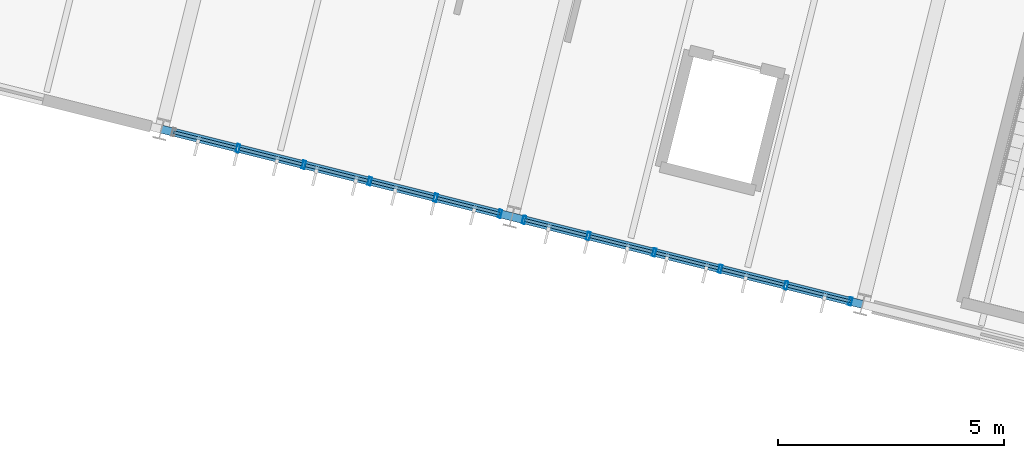
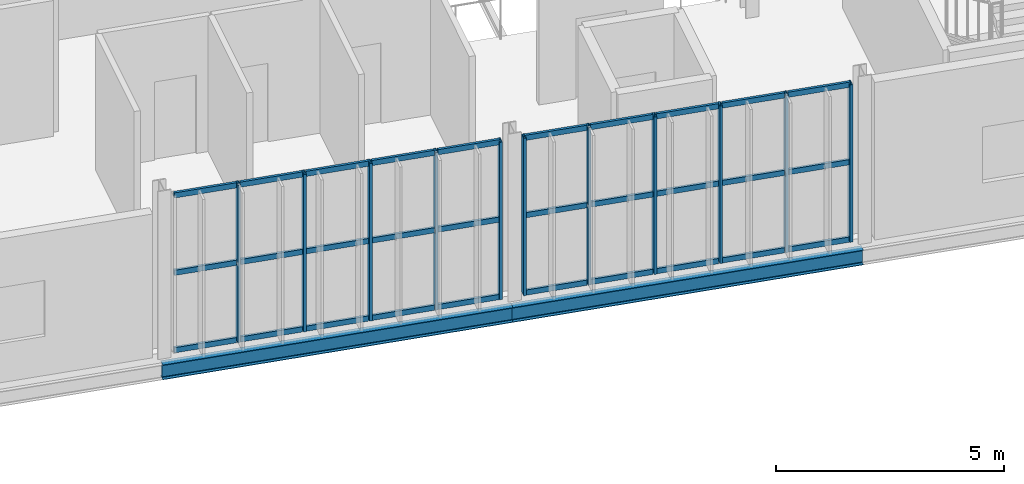
# One storey, part 94 of 152: 41 members, 2 beams, 2 elements without a shape of their own.
"""IFC4 building model written with IfcOpenShell, lengths in metres."""

from ifc_helpers import new_model, si_unit, derived_unit, direction, frame, origin, origin_2d, place, context, subcontext, project, spatial, hollow_rectangle, i_section, extrude, material, material_profile, profile_set, type_object, element, aggregate, save


model = new_model("IFC4")

# Units and contexts
model_context = context("Model", 3, precision=1e-05, world=origin(), true_north=direction((0.0, 1.0)))
body_context = subcontext(model_context, "Body", "Model", "MODEL_VIEW")
ifc_project = project(units=[si_unit("LENGTHUNIT", "METRE"), si_unit("AREAUNIT", "SQUARE_METRE"), si_unit("VOLUMEUNIT", "CUBIC_METRE"), si_unit("PLANEANGLEUNIT", "RADIAN"), si_unit("MASSUNIT", "GRAM", prefix="KILO"), si_unit("THERMODYNAMICTEMPERATUREUNIT", "KELVIN"), si_unit("TIMEUNIT", "SECOND"), derived_unit("THERMALTRANSMITTANCEUNIT", [(si_unit("MASSUNIT", "GRAM", prefix="KILO"), 1), (si_unit("THERMODYNAMICTEMPERATUREUNIT", "KELVIN"), -1), (si_unit("TIMEUNIT", "SECOND"), -3)])], contexts=[model_context])

# Site, building, storey
site_placement = place(None, origin())
site = spatial("IfcSite", under=ifc_project, at=site_placement, CompositionType="ELEMENT")
building_placement = place(site_placement, origin())
building = spatial("IfcBuilding", under=site, at=building_placement, Name="Cambertide Market Hall", CompositionType="ELEMENT")
storey_placement = place(building_placement, frame((0.0, 0.0, 5.39990234375)))
storey = spatial("IfcBuildingStorey", under=building, at=storey_placement, Name="L02", CompositionType="ELEMENT", Elevation=5.39990234375)

# Curtain wall, members
ifc_material_1 = material(Name="Marine Anodized Aluminium 6063-T6 AA25", Category="aluminium")
curtain_wall_type = type_object("IfcCurtainWallType", Name="Cooking School Classroom Curtain Wall", PredefinedType="USERDEFINED", material=ifc_material_1)
curtain_wall_1_placement = place(storey_placement, origin())
curtain_wall_1 = element("IfcCurtainWall", 1, at=curtain_wall_1_placement, inside=storey, type_object=curtain_wall_type, Name="Level 2 Curtain Wall CW-V4S-L02-5", ObjectType="UNITIZED CURTAIN WALL", PredefinedType="USERDEFINED")
ifc_material_2 = material(Name="Champagne Marine Anodized Aluminium 6063-T6 AA25", Category="aluminium")
ifc_material_profile_1 = material_profile(ifc_material_2, hollow_rectangle(XDim=0.06494140625, YDim=0.179931640625, WallThickness=0.00390625, at=origin_2d()), Name="ALU MULLION 65x180")
ifc_profile_set_1 = profile_set([ifc_material_profile_1], Name="Champagne Marine Anodized Aluminium 6063-T6 AA25")
member_type_1 = type_object("IfcMemberType", Name="Curtain Wall Mullion ALU MULLION 65x180", PredefinedType="MULLION", material=ifc_profile_set_1)
member_1_placement = place(storey_placement, frame((146.538818359375, 90.365234375, 0.0), z_axis=(0.0, 0.0, 1.0), x_axis=(-0.970142531436, 0.242535499875, 0.0)))
member_1 = element("IfcMember", 2, at=member_1_placement, type_object=member_type_1, Name="CW-V4S-L02-5 Mullion 1", PredefinedType="MULLION", context=body_context, shape_type="SweptSolid", body=[
    extrude(hollow_rectangle(XDim=0.06494140625, YDim=0.179931640625, WallThickness=0.00390625, at=origin_2d()), origin(), (0.0, 0.0, 1.0), 4.22021484375),
])
member_2_placement = place(storey_placement, frame((145.11376953125, 90.721435546875, 0.0), z_axis=(0.0, 0.0, 1.0), x_axis=(-0.970142531436, 0.242535499875, 0.0)))
member_2 = element("IfcMember", 3, at=member_2_placement, type_object=member_type_1, Name="CW-V4S-L02-5 Mullion 2", PredefinedType="MULLION", context=body_context, shape_type="SweptSolid", body=[
    extrude(hollow_rectangle(XDim=0.06494140625, YDim=0.179931640625, WallThickness=0.00390625, at=origin_2d()), origin(), (0.0, 0.0, 1.0), 4.22021484375),
])
member_3_placement = place(storey_placement, frame((143.65478515625, 91.08642578125, 0.0), z_axis=(0.0, 0.0, 1.0), x_axis=(-0.970142531436, 0.242535499875, 0.0)))
member_3 = element("IfcMember", 4, at=member_3_placement, type_object=member_type_1, Name="CW-V4S-L02-5 Mullion 3", PredefinedType="MULLION", context=body_context, shape_type="SweptSolid", body=[
    extrude(hollow_rectangle(XDim=0.06494140625, YDim=0.179931640625, WallThickness=0.00390625, at=origin_2d()), origin(), (0.0, 0.0, 1.0), 4.22021484375),
])
member_4_placement = place(storey_placement, frame((142.195556640625, 91.451171875, 0.0), z_axis=(0.0, 0.0, 1.0), x_axis=(-0.970142531436, 0.242535499875, 0.0)))
member_4 = element("IfcMember", 5, at=member_4_placement, type_object=member_type_1, Name="CW-V4S-L02-5 Mullion 4", PredefinedType="MULLION", context=body_context, shape_type="SweptSolid", body=[
    extrude(hollow_rectangle(XDim=0.06494140625, YDim=0.179931640625, WallThickness=0.00390625, at=origin_2d()), origin(), (0.0, 0.0, 1.0), 4.22021484375),
])
member_5_placement = place(storey_placement, frame((140.736572265625, 91.81591796875, 0.0), z_axis=(0.0, 0.0, 1.0), x_axis=(-0.970142531436, 0.242535499875, 0.0)))
member_5 = element("IfcMember", 6, at=member_5_placement, type_object=member_type_1, Name="CW-V4S-L02-5 Mullion 5", PredefinedType="MULLION", context=body_context, shape_type="SweptSolid", body=[
    extrude(hollow_rectangle(XDim=0.06494140625, YDim=0.179931640625, WallThickness=0.00390625, at=origin_2d()), origin(), (0.0, 0.0, 1.0), 4.22021484375),
])

curtain_wall_2_placement = place(storey_placement, origin())
curtain_wall_2 = element("IfcCurtainWall", 7, at=curtain_wall_2_placement, inside=storey, type_object=curtain_wall_type, Name="Level 2 Curtain Wall CW-V4S-L02-6", ObjectType="UNITIZED CURTAIN WALL", PredefinedType="USERDEFINED")
member_6_placement = place(storey_placement, frame((154.300048828125, 88.425048828125, 0.0), z_axis=(0.0, 0.0, 1.0), x_axis=(-0.970142531436, 0.242535499875, 0.0)))
member_6 = element("IfcMember", 8, at=member_6_placement, type_object=member_type_1, Name="CW-V4S-L02-6 Mullion 1", PredefinedType="MULLION", context=body_context, shape_type="SweptSolid", body=[
    extrude(hollow_rectangle(XDim=0.06494140625, YDim=0.179931640625, WallThickness=0.00390625, at=origin_2d()), origin(), (0.0, 0.0, 1.0), 4.22021484375),
])
member_7_placement = place(storey_placement, frame((152.875, 88.78125, 0.0), z_axis=(0.0, 0.0, 1.0), x_axis=(-0.970142531436, 0.242535499875, 0.0)))
member_7 = element("IfcMember", 9, at=member_7_placement, type_object=member_type_1, Name="CW-V4S-L02-6 Mullion 2", PredefinedType="MULLION", context=body_context, shape_type="SweptSolid", body=[
    extrude(hollow_rectangle(XDim=0.06494140625, YDim=0.179931640625, WallThickness=0.00390625, at=origin_2d()), origin(), (0.0, 0.0, 1.0), 4.22021484375),
])
member_8_placement = place(storey_placement, frame((151.415771484375, 89.14599609375, 0.0), z_axis=(0.0, 0.0, 1.0), x_axis=(-0.970142531436, 0.242535499875, 0.0)))
member_8 = element("IfcMember", 10, at=member_8_placement, type_object=member_type_1, Name="CW-V4S-L02-6 Mullion 3", PredefinedType="MULLION", context=body_context, shape_type="SweptSolid", body=[
    extrude(hollow_rectangle(XDim=0.06494140625, YDim=0.179931640625, WallThickness=0.00390625, at=origin_2d()), origin(), (0.0, 0.0, 1.0), 4.22021484375),
])
member_9_placement = place(storey_placement, frame((149.956787109375, 89.5107421875, 0.0), z_axis=(0.0, 0.0, 1.0), x_axis=(-0.970142531436, 0.242535499875, 0.0)))
member_9 = element("IfcMember", 11, at=member_9_placement, type_object=member_type_1, Name="CW-V4S-L02-6 Mullion 4", PredefinedType="MULLION", context=body_context, shape_type="SweptSolid", body=[
    extrude(hollow_rectangle(XDim=0.06494140625, YDim=0.179931640625, WallThickness=0.00390625, at=origin_2d()), origin(), (0.0, 0.0, 1.0), 4.22021484375),
])
member_10_placement = place(storey_placement, frame((148.49755859375, 89.87548828125, 0.0), z_axis=(0.0, 0.0, 1.0), x_axis=(-0.970142531436, 0.242535499875, 0.0)))
member_10 = element("IfcMember", 12, at=member_10_placement, type_object=member_type_1, Name="CW-V4S-L02-6 Mullion 5", PredefinedType="MULLION", context=body_context, shape_type="SweptSolid", body=[
    extrude(hollow_rectangle(XDim=0.06494140625, YDim=0.179931640625, WallThickness=0.00390625, at=origin_2d()), origin(), (0.0, 0.0, 1.0), 4.22021484375),
])
member_11_placement = place(storey_placement, frame((147.072509765625, 90.23193359375, 0.0), z_axis=(0.0, 0.0, 1.0), x_axis=(-0.970142531436, 0.242535499875, 0.0)))
member_11 = element("IfcMember", 13, at=member_11_placement, type_object=member_type_1, Name="CW-V4S-L02-6 Mullion 6", PredefinedType="MULLION", context=body_context, shape_type="SweptSolid", body=[
    extrude(hollow_rectangle(XDim=0.06494140625, YDim=0.179931640625, WallThickness=0.00390625, at=origin_2d()), origin(), (0.0, 0.0, 1.0), 4.22021484375),
])

# Member
ifc_material_3 = material(Name="Champagne Marine Anodized Aluminium 6063-T6 AA25", Category="aluminium")
ifc_material_profile_2 = material_profile(ifc_material_3, hollow_rectangle(XDim=0.06494140625, YDim=0.139892578125, WallThickness=0.00341796875, at=origin_2d()), Name="ALU TRANSOM 65x140")
ifc_profile_set_2 = profile_set([ifc_material_profile_2], Name="Champagne Marine Anodized Aluminium 6063-T6 AA25")
member_type_2 = type_object("IfcMemberType", Name="Curtain Wall Transom ALU TRANSOM 65x140", PredefinedType="USERDEFINED", material=ifc_profile_set_2)
member_12_placement = place(storey_placement, frame((146.5341796875, 90.366455078125, 0.03515625), z_axis=(-0.970132415085, 0.242575961715, 0.0), x_axis=(-0.242575961715, -0.970132415085, 0.0)))
member_12 = element("IfcMember", 14, at=member_12_placement, type_object=member_type_2, Name="CW-V4S-L02-5 Transom 1-1", ObjectType="TRANSOM", PredefinedType="USERDEFINED", context=body_context, shape_type="SweptSolid", body=[
    extrude(hollow_rectangle(XDim=0.06494140625, YDim=0.139892578125, WallThickness=0.00341796875, at=origin_2d()), origin(), (0.0, 0.0, 1.0), 1.424072265625),
])

member_13_placement = place(storey_placement, frame((145.074951171875, 90.731201171875, 0.03515625), z_axis=(-0.970122324991, 0.242616311393, 0.0), x_axis=(-0.242616311393, -0.970122324991, 0.0)))
member_13 = element("IfcMember", 15, at=member_13_placement, type_object=member_type_2, Name="CW-V4S-L02-5 Transom 1-2", ObjectType="TRANSOM", PredefinedType="USERDEFINED", context=body_context, shape_type="SweptSolid", body=[
    extrude(hollow_rectangle(XDim=0.06494140625, YDim=0.139892578125, WallThickness=0.00341796875, at=origin_2d()), origin(), (0.0, 0.0, 1.0), 1.423828125),
])

member_14_placement = place(storey_placement, frame((143.615966796875, 91.095947265625, 0.03515625), z_axis=(-0.970132415085, 0.242575961715, 0.0), x_axis=(-0.242575961715, -0.970132415085, 0.0)))
member_14 = element("IfcMember", 16, at=member_14_placement, type_object=member_type_2, Name="CW-V4S-L02-5 Transom 1-3", ObjectType="TRANSOM", PredefinedType="USERDEFINED", context=body_context, shape_type="SweptSolid", body=[
    extrude(hollow_rectangle(XDim=0.06494140625, YDim=0.139892578125, WallThickness=0.00341796875, at=origin_2d()), origin(), (0.0, 0.0, 1.0), 1.424072265625),
])

member_15_placement = place(storey_placement, frame((142.15673828125, 91.460693359375, 0.03515625), z_axis=(-0.970122324991, 0.242616311393, 0.0), x_axis=(-0.242616311393, -0.970122324991, 0.0)))
member_15 = element("IfcMember", 17, at=member_15_placement, type_object=member_type_2, Name="CW-V4S-L02-5 Transom 1-4", ObjectType="TRANSOM", PredefinedType="USERDEFINED", context=body_context, shape_type="SweptSolid", body=[
    extrude(hollow_rectangle(XDim=0.06494140625, YDim=0.139892578125, WallThickness=0.00341796875, at=origin_2d()), origin(), (0.0, 0.0, 1.0), 1.423828125),
])

member_16_placement = place(storey_placement, frame((140.69775390625, 91.82568359375, 0.03515625), z_axis=(-0.970172746521, 0.242414607454, 0.0), x_axis=(-0.242414607454, -0.970172746521, 0.0)))
member_16 = element("IfcMember", 18, at=member_16_placement, type_object=member_type_2, Name="CW-V4S-L02-5 Transom 1-5", ObjectType="TRANSOM", PredefinedType="USERDEFINED", context=body_context, shape_type="SweptSolid", body=[
    extrude(hollow_rectangle(XDim=0.06494140625, YDim=0.139892578125, WallThickness=0.00341796875, at=origin_2d()), origin(), (0.0, 0.0, 1.0), 1.424072265625),
])

member_17_placement = place(storey_placement, frame((146.5341796875, 90.366455078125, 2.110107421875), z_axis=(-0.970132415085, 0.242575961715, 0.0), x_axis=(-0.242575961715, -0.970132415085, 0.0)))
member_17 = element("IfcMember", 19, at=member_17_placement, type_object=member_type_2, Name="CW-V4S-L02-5 Transom 2-1", ObjectType="TRANSOM", PredefinedType="USERDEFINED", context=body_context, shape_type="SweptSolid", body=[
    extrude(hollow_rectangle(XDim=0.06494140625, YDim=0.139892578125, WallThickness=0.00341796875, at=origin_2d()), origin(), (0.0, 0.0, 1.0), 1.424072265625),
])

member_18_placement = place(storey_placement, frame((145.074951171875, 90.731201171875, 2.110107421875), z_axis=(-0.970122324991, 0.242616311393, 0.0), x_axis=(-0.242616311393, -0.970122324991, 0.0)))
member_18 = element("IfcMember", 20, at=member_18_placement, type_object=member_type_2, Name="CW-V4S-L02-5 Transom 2-2", ObjectType="TRANSOM", PredefinedType="USERDEFINED", context=body_context, shape_type="SweptSolid", body=[
    extrude(hollow_rectangle(XDim=0.06494140625, YDim=0.139892578125, WallThickness=0.00341796875, at=origin_2d()), origin(), (0.0, 0.0, 1.0), 1.423828125),
])

member_19_placement = place(storey_placement, frame((143.615966796875, 91.095947265625, 2.110107421875), z_axis=(-0.970132415085, 0.242575961715, 0.0), x_axis=(-0.242575961715, -0.970132415085, 0.0)))
member_19 = element("IfcMember", 21, at=member_19_placement, type_object=member_type_2, Name="CW-V4S-L02-5 Transom 2-3", ObjectType="TRANSOM", PredefinedType="USERDEFINED", context=body_context, shape_type="SweptSolid", body=[
    extrude(hollow_rectangle(XDim=0.06494140625, YDim=0.139892578125, WallThickness=0.00341796875, at=origin_2d()), origin(), (0.0, 0.0, 1.0), 1.424072265625),
])

member_20_placement = place(storey_placement, frame((142.15673828125, 91.460693359375, 2.110107421875), z_axis=(-0.970122324991, 0.242616311393, 0.0), x_axis=(-0.242616311393, -0.970122324991, 0.0)))
member_20 = element("IfcMember", 22, at=member_20_placement, type_object=member_type_2, Name="CW-V4S-L02-5 Transom 2-4", ObjectType="TRANSOM", PredefinedType="USERDEFINED", context=body_context, shape_type="SweptSolid", body=[
    extrude(hollow_rectangle(XDim=0.06494140625, YDim=0.139892578125, WallThickness=0.00341796875, at=origin_2d()), origin(), (0.0, 0.0, 1.0), 1.423828125),
])

member_21_placement = place(storey_placement, frame((140.69775390625, 91.82568359375, 2.110107421875), z_axis=(-0.970172746521, 0.242414607454, 0.0), x_axis=(-0.242414607454, -0.970172746521, 0.0)))
member_21 = element("IfcMember", 23, at=member_21_placement, type_object=member_type_2, Name="CW-V4S-L02-5 Transom 2-5", ObjectType="TRANSOM", PredefinedType="USERDEFINED", context=body_context, shape_type="SweptSolid", body=[
    extrude(hollow_rectangle(XDim=0.06494140625, YDim=0.139892578125, WallThickness=0.00341796875, at=origin_2d()), origin(), (0.0, 0.0, 1.0), 1.424072265625),
])

member_22_placement = place(storey_placement, frame((146.5341796875, 90.366455078125, 4.18505859375), z_axis=(-0.970132415085, 0.242575961715, 0.0), x_axis=(-0.242575961715, -0.970132415085, 0.0)))
member_22 = element("IfcMember", 24, at=member_22_placement, type_object=member_type_2, Name="CW-V4S-L02-5 Transom 3-1", ObjectType="TRANSOM", PredefinedType="USERDEFINED", context=body_context, shape_type="SweptSolid", body=[
    extrude(hollow_rectangle(XDim=0.06494140625, YDim=0.139892578125, WallThickness=0.00341796875, at=origin_2d()), origin(), (0.0, 0.0, 1.0), 1.424072265625),
])

member_23_placement = place(storey_placement, frame((145.074951171875, 90.731201171875, 4.18505859375), z_axis=(-0.970122324991, 0.242616311393, 0.0), x_axis=(-0.242616311393, -0.970122324991, 0.0)))
member_23 = element("IfcMember", 25, at=member_23_placement, type_object=member_type_2, Name="CW-V4S-L02-5 Transom 3-2", ObjectType="TRANSOM", PredefinedType="USERDEFINED", context=body_context, shape_type="SweptSolid", body=[
    extrude(hollow_rectangle(XDim=0.06494140625, YDim=0.139892578125, WallThickness=0.00341796875, at=origin_2d()), origin(), (0.0, 0.0, 1.0), 1.423828125),
])

member_24_placement = place(storey_placement, frame((143.615966796875, 91.095947265625, 4.18505859375), z_axis=(-0.970132415085, 0.242575961715, 0.0), x_axis=(-0.242575961715, -0.970132415085, 0.0)))
member_24 = element("IfcMember", 26, at=member_24_placement, type_object=member_type_2, Name="CW-V4S-L02-5 Transom 3-3", ObjectType="TRANSOM", PredefinedType="USERDEFINED", context=body_context, shape_type="SweptSolid", body=[
    extrude(hollow_rectangle(XDim=0.06494140625, YDim=0.139892578125, WallThickness=0.00341796875, at=origin_2d()), origin(), (0.0, 0.0, 1.0), 1.424072265625),
])

member_25_placement = place(storey_placement, frame((142.15673828125, 91.460693359375, 4.18505859375), z_axis=(-0.970122324991, 0.242616311393, 0.0), x_axis=(-0.242616311393, -0.970122324991, 0.0)))
member_25 = element("IfcMember", 27, at=member_25_placement, type_object=member_type_2, Name="CW-V4S-L02-5 Transom 3-4", ObjectType="TRANSOM", PredefinedType="USERDEFINED", context=body_context, shape_type="SweptSolid", body=[
    extrude(hollow_rectangle(XDim=0.06494140625, YDim=0.139892578125, WallThickness=0.00341796875, at=origin_2d()), origin(), (0.0, 0.0, 1.0), 1.423828125),
])

member_26_placement = place(storey_placement, frame((140.69775390625, 91.82568359375, 4.18505859375), z_axis=(-0.970172746521, 0.242414607454, 0.0), x_axis=(-0.242414607454, -0.970172746521, 0.0)))
member_26 = element("IfcMember", 28, at=member_26_placement, type_object=member_type_2, Name="CW-V4S-L02-5 Transom 3-5", ObjectType="TRANSOM", PredefinedType="USERDEFINED", context=body_context, shape_type="SweptSolid", body=[
    extrude(hollow_rectangle(XDim=0.06494140625, YDim=0.139892578125, WallThickness=0.00341796875, at=origin_2d()), origin(), (0.0, 0.0, 1.0), 1.424072265625),
])

aggregate(curtain_wall_1, [member_1, member_2, member_3, member_4, member_5, member_12, member_13, member_14, member_15, member_16, member_17, member_18, member_19, member_20, member_21, member_22, member_23, member_24, member_25, member_26])

member_27_placement = place(storey_placement, frame((154.295166015625, 88.42626953125, 0.03515625), z_axis=(-0.970162669427, 0.242454933646, 0.0), x_axis=(-0.242454933646, -0.970162669427, 0.0)))
member_27 = element("IfcMember", 29, at=member_27_placement, type_object=member_type_2, Name="CW-V4S-L02-6 Transom 1-1", ObjectType="TRANSOM", PredefinedType="USERDEFINED", context=body_context, shape_type="SweptSolid", body=[
    extrude(hollow_rectangle(XDim=0.06494140625, YDim=0.139892578125, WallThickness=0.00341796875, at=origin_2d()), origin(), (0.0, 0.0, 1.0), 1.423828125),
])

member_28_placement = place(storey_placement, frame((152.836181640625, 88.791015625, 0.03515625), z_axis=(-0.970172746521, 0.242414607454, 0.0), x_axis=(-0.242414607454, -0.970172746521, 0.0)))
member_28 = element("IfcMember", 30, at=member_28_placement, type_object=member_type_2, Name="CW-V4S-L02-6 Transom 1-2", ObjectType="TRANSOM", PredefinedType="USERDEFINED", context=body_context, shape_type="SweptSolid", body=[
    extrude(hollow_rectangle(XDim=0.06494140625, YDim=0.139892578125, WallThickness=0.00341796875, at=origin_2d()), origin(), (0.0, 0.0, 1.0), 1.424072265625),
])

member_29_placement = place(storey_placement, frame((151.376953125, 89.15576171875, 0.03515625), z_axis=(-0.970122324991, 0.242616311393, 0.0), x_axis=(-0.242616311393, -0.970122324991, 0.0)))
member_29 = element("IfcMember", 31, at=member_29_placement, type_object=member_type_2, Name="CW-V4S-L02-6 Transom 1-3", ObjectType="TRANSOM", PredefinedType="USERDEFINED", context=body_context, shape_type="SweptSolid", body=[
    extrude(hollow_rectangle(XDim=0.06494140625, YDim=0.139892578125, WallThickness=0.00341796875, at=origin_2d()), origin(), (0.0, 0.0, 1.0), 1.423828125),
])

member_30_placement = place(storey_placement, frame((149.91796875, 89.5205078125, 0.03515625), z_axis=(-0.970132415085, 0.242575961715, 0.0), x_axis=(-0.242575961715, -0.970132415085, 0.0)))
member_30 = element("IfcMember", 32, at=member_30_placement, type_object=member_type_2, Name="CW-V4S-L02-6 Transom 1-4", ObjectType="TRANSOM", PredefinedType="USERDEFINED", context=body_context, shape_type="SweptSolid", body=[
    extrude(hollow_rectangle(XDim=0.06494140625, YDim=0.139892578125, WallThickness=0.00341796875, at=origin_2d()), origin(), (0.0, 0.0, 1.0), 1.424072265625),
])

member_31_placement = place(storey_placement, frame((148.458740234375, 89.88525390625, 0.03515625), z_axis=(-0.970122324991, 0.242616311393, 0.0), x_axis=(-0.242616311393, -0.970122324991, 0.0)))
member_31 = element("IfcMember", 33, at=member_31_placement, type_object=member_type_2, Name="CW-V4S-L02-6 Transom 1-5", ObjectType="TRANSOM", PredefinedType="USERDEFINED", context=body_context, shape_type="SweptSolid", body=[
    extrude(hollow_rectangle(XDim=0.06494140625, YDim=0.139892578125, WallThickness=0.00341796875, at=origin_2d()), origin(), (0.0, 0.0, 1.0), 1.423828125),
])

member_32_placement = place(storey_placement, frame((154.295166015625, 88.42626953125, 2.110107421875), z_axis=(-0.970162669427, 0.242454933646, 0.0), x_axis=(-0.242454933646, -0.970162669427, 0.0)))
member_32 = element("IfcMember", 34, at=member_32_placement, type_object=member_type_2, Name="CW-V4S-L02-6 Transom 2-1", ObjectType="TRANSOM", PredefinedType="USERDEFINED", context=body_context, shape_type="SweptSolid", body=[
    extrude(hollow_rectangle(XDim=0.06494140625, YDim=0.139892578125, WallThickness=0.00341796875, at=origin_2d()), origin(), (0.0, 0.0, 1.0), 1.423828125),
])

member_33_placement = place(storey_placement, frame((152.836181640625, 88.791015625, 2.110107421875), z_axis=(-0.970172746521, 0.242414607454, 0.0), x_axis=(-0.242414607454, -0.970172746521, 0.0)))
member_33 = element("IfcMember", 35, at=member_33_placement, type_object=member_type_2, Name="CW-V4S-L02-6 Transom 2-2", ObjectType="TRANSOM", PredefinedType="USERDEFINED", context=body_context, shape_type="SweptSolid", body=[
    extrude(hollow_rectangle(XDim=0.06494140625, YDim=0.139892578125, WallThickness=0.00341796875, at=origin_2d()), origin(), (0.0, 0.0, 1.0), 1.424072265625),
])

member_34_placement = place(storey_placement, frame((151.376953125, 89.15576171875, 2.110107421875), z_axis=(-0.970122324991, 0.242616311393, 0.0), x_axis=(-0.242616311393, -0.970122324991, 0.0)))
member_34 = element("IfcMember", 36, at=member_34_placement, type_object=member_type_2, Name="CW-V4S-L02-6 Transom 2-3", ObjectType="TRANSOM", PredefinedType="USERDEFINED", context=body_context, shape_type="SweptSolid", body=[
    extrude(hollow_rectangle(XDim=0.06494140625, YDim=0.139892578125, WallThickness=0.00341796875, at=origin_2d()), origin(), (0.0, 0.0, 1.0), 1.423828125),
])

member_35_placement = place(storey_placement, frame((149.91796875, 89.5205078125, 2.110107421875), z_axis=(-0.970132415085, 0.242575961715, 0.0), x_axis=(-0.242575961715, -0.970132415085, 0.0)))
member_35 = element("IfcMember", 37, at=member_35_placement, type_object=member_type_2, Name="CW-V4S-L02-6 Transom 2-4", ObjectType="TRANSOM", PredefinedType="USERDEFINED", context=body_context, shape_type="SweptSolid", body=[
    extrude(hollow_rectangle(XDim=0.06494140625, YDim=0.139892578125, WallThickness=0.00341796875, at=origin_2d()), origin(), (0.0, 0.0, 1.0), 1.424072265625),
])

member_36_placement = place(storey_placement, frame((148.458740234375, 89.88525390625, 2.110107421875), z_axis=(-0.970122324991, 0.242616311393, 0.0), x_axis=(-0.242616311393, -0.970122324991, 0.0)))
member_36 = element("IfcMember", 38, at=member_36_placement, type_object=member_type_2, Name="CW-V4S-L02-6 Transom 2-5", ObjectType="TRANSOM", PredefinedType="USERDEFINED", context=body_context, shape_type="SweptSolid", body=[
    extrude(hollow_rectangle(XDim=0.06494140625, YDim=0.139892578125, WallThickness=0.00341796875, at=origin_2d()), origin(), (0.0, 0.0, 1.0), 1.423828125),
])

member_37_placement = place(storey_placement, frame((154.295166015625, 88.42626953125, 4.18505859375), z_axis=(-0.970162669427, 0.242454933646, 0.0), x_axis=(-0.242454933646, -0.970162669427, 0.0)))
member_37 = element("IfcMember", 39, at=member_37_placement, type_object=member_type_2, Name="CW-V4S-L02-6 Transom 3-1", ObjectType="TRANSOM", PredefinedType="USERDEFINED", context=body_context, shape_type="SweptSolid", body=[
    extrude(hollow_rectangle(XDim=0.06494140625, YDim=0.139892578125, WallThickness=0.00341796875, at=origin_2d()), origin(), (0.0, 0.0, 1.0), 1.423828125),
])

member_38_placement = place(storey_placement, frame((152.836181640625, 88.791015625, 4.18505859375), z_axis=(-0.970172746521, 0.242414607454, 0.0), x_axis=(-0.242414607454, -0.970172746521, 0.0)))
member_38 = element("IfcMember", 40, at=member_38_placement, type_object=member_type_2, Name="CW-V4S-L02-6 Transom 3-2", ObjectType="TRANSOM", PredefinedType="USERDEFINED", context=body_context, shape_type="SweptSolid", body=[
    extrude(hollow_rectangle(XDim=0.06494140625, YDim=0.139892578125, WallThickness=0.00341796875, at=origin_2d()), origin(), (0.0, 0.0, 1.0), 1.424072265625),
])

member_39_placement = place(storey_placement, frame((151.376953125, 89.15576171875, 4.18505859375), z_axis=(-0.970122324991, 0.242616311393, 0.0), x_axis=(-0.242616311393, -0.970122324991, 0.0)))
member_39 = element("IfcMember", 41, at=member_39_placement, type_object=member_type_2, Name="CW-V4S-L02-6 Transom 3-3", ObjectType="TRANSOM", PredefinedType="USERDEFINED", context=body_context, shape_type="SweptSolid", body=[
    extrude(hollow_rectangle(XDim=0.06494140625, YDim=0.139892578125, WallThickness=0.00341796875, at=origin_2d()), origin(), (0.0, 0.0, 1.0), 1.423828125),
])

member_40_placement = place(storey_placement, frame((149.91796875, 89.5205078125, 4.18505859375), z_axis=(-0.970132415085, 0.242575961715, 0.0), x_axis=(-0.242575961715, -0.970132415085, 0.0)))
member_40 = element("IfcMember", 42, at=member_40_placement, type_object=member_type_2, Name="CW-V4S-L02-6 Transom 3-4", ObjectType="TRANSOM", PredefinedType="USERDEFINED", context=body_context, shape_type="SweptSolid", body=[
    extrude(hollow_rectangle(XDim=0.06494140625, YDim=0.139892578125, WallThickness=0.00341796875, at=origin_2d()), origin(), (0.0, 0.0, 1.0), 1.424072265625),
])

member_41_placement = place(storey_placement, frame((148.458740234375, 89.88525390625, 4.18505859375), z_axis=(-0.970122324991, 0.242616311393, 0.0), x_axis=(-0.242616311393, -0.970122324991, 0.0)))
member_41 = element("IfcMember", 43, at=member_41_placement, type_object=member_type_2, Name="CW-V4S-L02-6 Transom 3-5", ObjectType="TRANSOM", PredefinedType="USERDEFINED", context=body_context, shape_type="SweptSolid", body=[
    extrude(hollow_rectangle(XDim=0.06494140625, YDim=0.139892578125, WallThickness=0.00341796875, at=origin_2d()), origin(), (0.0, 0.0, 1.0), 1.423828125),
])

aggregate(curtain_wall_2, [member_6, member_7, member_8, member_9, member_10, member_11, member_27, member_28, member_29, member_30, member_31, member_32, member_33, member_34, member_35, member_36, member_37, member_38, member_39, member_40, member_41])

# Beams
ifc_material_4 = material(Name="Steel S355", Category="steel")
ifc_material_profile_3 = material_profile(ifc_material_4, i_section(OverallWidth=0.179931640625, OverallDepth=0.39990234375, WebThickness=0.008544921875, FlangeThickness=0.013427734375, FilletRadius=0.02099609375, at=origin_2d()), Name="IPE 400")
ifc_profile_set_3 = profile_set([ifc_material_profile_3], Name="Steel S355")
beam_type = type_object("IfcBeamType", Name="Perimeter Spandrel Beam IPE 400", PredefinedType="SPANDREL", material=ifc_profile_set_3)
beam_1_placement = place(storey_placement, frame((139.044677734375, 92.23876953125, -0.46484375), z_axis=(0.970144295309, -0.242528444268, 0.0), x_axis=(0.242528444268, 0.970144295309, 0.0)))
element("IfcBeam", 44, at=beam_1_placement, inside=storey, type_object=beam_type, Name="Level 2 Spandrel BM-V4U-L02-5-1", PredefinedType="SPANDREL", context=body_context, shape_type="SweptSolid", body=[
    extrude(i_section(OverallWidth=0.179931640625, OverallDepth=0.39990234375, WebThickness=0.008544921875, FlangeThickness=0.013427734375, FilletRadius=0.02099609375, at=origin_2d()), origin(), (0.0, 0.0, 1.0), 7.999755859375),
])
beam_2_placement = place(storey_placement, frame((146.8056640625, 90.298583984375, -0.46484375), z_axis=(0.970146090314, -0.242521263911, 0.0), x_axis=(0.242521263911, 0.970146090314, 0.0)))
element("IfcBeam", 45, at=beam_2_placement, inside=storey, type_object=beam_type, Name="Level 2 Spandrel BM-V4U-L02-6-1", PredefinedType="SPANDREL", context=body_context, shape_type="SweptSolid", body=[
    extrude(i_section(OverallWidth=0.179931640625, OverallDepth=0.39990234375, WebThickness=0.008544921875, FlangeThickness=0.013427734375, FilletRadius=0.02099609375, at=origin_2d()), origin(), (0.0, 0.0, 1.0), 8.0),
])

save(model, "model.ifc")
